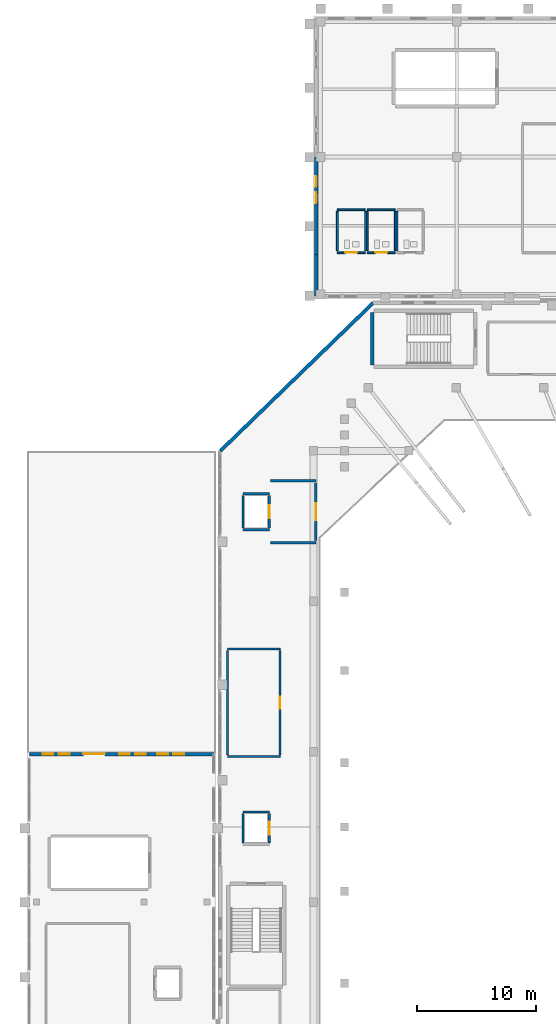
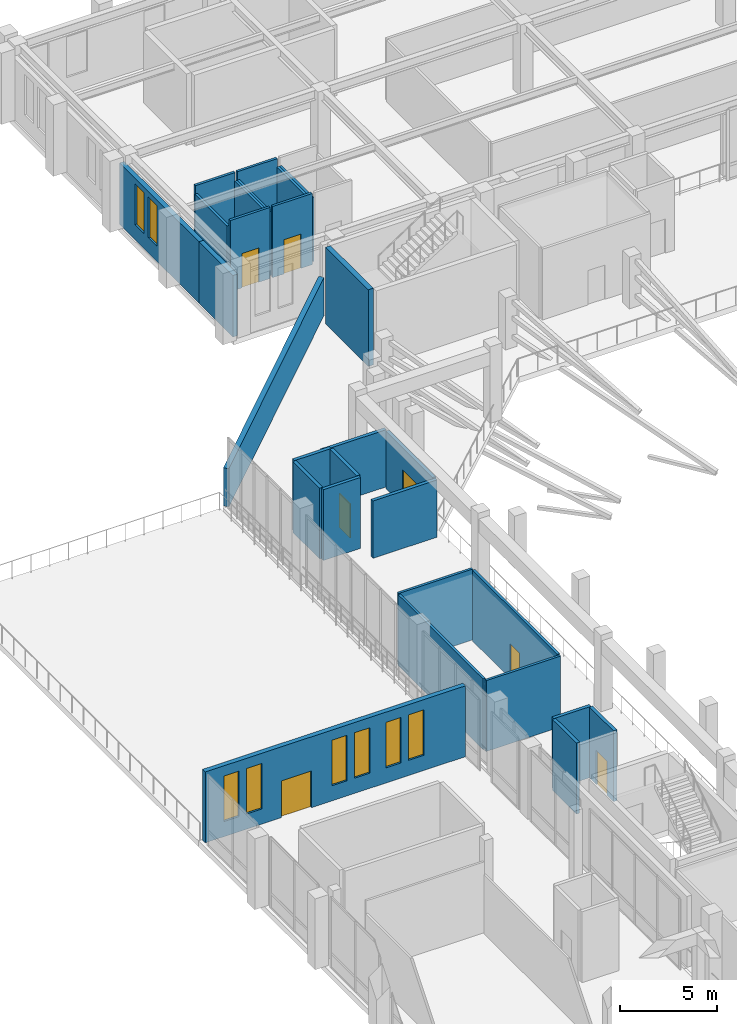
# One storey, part 59 of 79: 28 walls, 8 windows, 7 doors, 15 openings.
"""IFC4 building model written with IfcOpenShell, lengths in metres."""

from ifc_helpers import new_model, si_unit, derived_unit, direction, frame, frame_2d, origin, place, context, subcontext, project, spatial, rectangle, extrude, material, layer, layer_set, type_object, element, fill, save


model = new_model("IFC4")

# Units and contexts
model_context = context("Model", 3, precision=1e-05, world=origin(), true_north=direction((0.0, 1.0)))
body_context = subcontext(model_context, "Body", "Model", "MODEL_VIEW")
ifc_project = project(units=[si_unit("LENGTHUNIT", "METRE"), si_unit("AREAUNIT", "SQUARE_METRE"), si_unit("VOLUMEUNIT", "CUBIC_METRE"), si_unit("PLANEANGLEUNIT", "RADIAN"), si_unit("MASSUNIT", "GRAM", prefix="KILO"), derived_unit("THERMALTRANSMITTANCEUNIT", [(si_unit("MASSUNIT", "GRAM", prefix="KILO"), 1), (si_unit("TIMEUNIT", "SECOND"), -3), (si_unit("THERMODYNAMICTEMPERATUREUNIT", "KELVIN"), -1)])], contexts=[model_context])

# Site, building, storey
site_placement = place(None, origin())
site = spatial("IfcSite", under=ifc_project, at=site_placement, CompositionType="ELEMENT")
building_placement = place(site_placement, origin())
building = spatial("IfcBuilding", under=site, at=building_placement, Name="Valcora Ridge Arena", CompositionType="ELEMENT")
storey_placement = place(building_placement, frame((0.0, 0.0, 16.199951171875)))
storey = spatial("IfcBuildingStorey", under=building, at=storey_placement, Name="L03", CompositionType="ELEMENT", Elevation=16.199951171875)

# Wall
ifc_material_1 = material(Name="Bush-hammered Andean travertine on concrete backup C40/50", Category="masonry")
ifc_layer_1 = layer(ifc_material_1, 0.280029296875, Name="Bush-hammered Andean travertine on concrete backup C40/50")
ifc_layer_set_1 = layer_set([ifc_layer_1], Name="Bush-hammered Andean travertine on concrete backup C40/50")
wall_type_1 = type_object("IfcWallType", Name="TY-WALL-EW-TRV-28-38", PredefinedType="STANDARD", material=ifc_layer_set_1)
wall_1_placement = place(storey_placement, frame((24.219970703125, 108.550048828125, 0.0), z_axis=(0.0, 0.0, 1.0), x_axis=(0.0, 1.0, 0.0)))
element("IfcWall", 1, at=wall_1_placement, inside=storey, type_object=wall_type_1, Name="EW-TRV-28-38 WAL-EW-0213", PredefinedType="STANDARD", context=body_context, shape_type="SweptSolid", body=[
    extrude(rectangle(XDim=3.5, YDim=0.280029296875, at=frame_2d((1.75, 0.0))), origin(), (0.0, 0.0, 1.0), 3.84814453125),
])

# Wall, openings, windows
wall_2_placement = place(storey_placement, frame((24.219970703125, 112.050048828125, 0.0), z_axis=(0.0, 0.0, 1.0), x_axis=(0.0, 1.0, 0.0)))
wall_2 = element("IfcWall", 2, at=wall_2_placement, inside=storey, type_object=wall_type_1, Name="EW-TRV-28-38 WAL-EW-0214", PredefinedType="STANDARD", context=body_context, shape_type="SweptSolid", body=[
    extrude(rectangle(XDim=8.14990234375, YDim=0.280029296875, at=frame_2d((4.074951171875, 0.0))), origin(), (0.0, 0.0, 1.0), 3.84814453125),
])
opening_1_placement = place(wall_2_placement, frame((4.300048828125, 0.0, 0.949951171875)))
opening_1 = element("IfcOpeningElement", 3, at=opening_1_placement, cuts=wall_2, Name="Opening W-GLAN-90X255", PredefinedType="OPENING", context=body_context, shape_type="SweptSolid", body=[
    extrude(rectangle(XDim=0.89990234375, YDim=2.550048828125, at=frame_2d((0.449951171875, 1.27490234375))), frame((0.0, 0.14990234375, 0.0), z_axis=(0.0, -1.0, 0.0), x_axis=(1.0, 0.0, 0.0)), (0.0, 0.0, 1.0), 0.300048828125),
])
opening_2_placement = place(wall_2_placement, frame((5.64990234375, 0.0, 0.949951171875)))
opening_2 = element("IfcOpeningElement", 4, at=opening_2_placement, cuts=wall_2, Name="Opening W-GLAN-90X255", PredefinedType="OPENING", context=body_context, shape_type="SweptSolid", body=[
    extrude(rectangle(XDim=0.89990234375, YDim=2.550048828125, at=frame_2d((0.449951171875, 1.27490234375))), frame((0.0, 0.14990234375, 0.0), z_axis=(0.0, -1.0, 0.0), x_axis=(1.0, 0.0, 0.0)), (0.0, 0.0, 1.0), 0.300048828125),
])
ifc_material_2 = material(Name="Low-iron solar-control double glazing SHGC 0.28", Category="glass")
window_type_1 = type_object("IfcWindowType", Name="TY-WINDOW-W-GLAN-90X255", PartitioningType="DOUBLE_PANEL_VERTICAL", PredefinedType="WINDOW", material=ifc_material_2)
window_1_placement = place(opening_1_placement, origin())
window_1 = element("IfcWindow", 5, at=window_1_placement, inside=storey, type_object=window_type_1, Name="W-GLAN-90X255 WIN-EX-0643", OverallHeight=2.550048828125, OverallWidth=0.89990234375, PartitioningType="DOUBLE_PANEL_VERTICAL", PredefinedType="WINDOW", context=body_context, shape_type="SweptSolid", body=[
    extrude(rectangle(XDim=0.89990234375, YDim=2.550048828125, at=frame_2d((0.449951171875, 1.27490234375))), frame((0.0, 0.030029296875, 0.0), z_axis=(0.0, -1.0, 0.0), x_axis=(1.0, 0.0, 0.0)), (0.0, 0.0, 1.0), 0.06005859375),
])
fill(opening_1, window_1)
window_2_placement = place(opening_2_placement, origin())
window_2 = element("IfcWindow", 6, at=window_2_placement, inside=storey, type_object=window_type_1, Name="W-GLAN-90X255 WIN-EX-0644", OverallHeight=2.550048828125, OverallWidth=0.89990234375, PartitioningType="DOUBLE_PANEL_VERTICAL", PredefinedType="WINDOW", context=body_context, shape_type="SweptSolid", body=[
    extrude(rectangle(XDim=0.89990234375, YDim=2.550048828125, at=frame_2d((0.449951171875, 1.27490234375))), frame((0.0, 0.030029296875, 0.0), z_axis=(0.0, -1.0, 0.0), x_axis=(1.0, 0.0, 0.0)), (0.0, 0.0, 1.0), 0.06005859375),
])
fill(opening_2, window_2)

# Wall, openings, door, windows
ifc_layer_2 = layer(ifc_material_1, 0.280029296875, Name="Bush-hammered Andean travertine on concrete backup C40/50")
ifc_layer_set_2 = layer_set([ifc_layer_2], Name="Bush-hammered Andean travertine on concrete backup C40/50")
wall_type_2 = type_object("IfcWallType", Name="TY-WALL-EW-TRV-28-44", PredefinedType="STANDARD", material=ifc_layer_set_2)
wall_3_placement = place(storey_placement, frame((0.219970703125, 70.199951171875, 0.0), z_axis=(0.0, 0.0, 1.0), x_axis=(1.0, 0.0, 0.0)))
wall_3 = element("IfcWall", 7, at=wall_3_placement, inside=storey, type_object=wall_type_2, Name="EW-TRV-28-44 WAL-EW-0095", PredefinedType="STANDARD", context=body_context, shape_type="SweptSolid", body=[
    extrude(rectangle(XDim=15.429931640625, YDim=0.280029296875, at=frame_2d((7.71484375, 0.0))), origin(), (0.0, 0.0, 1.0), 4.43994140625),
])
opening_3_placement = place(wall_3_placement, frame((4.5, 0.0, 0.0)))
opening_3 = element("IfcOpeningElement", 8, at=opening_3_placement, cuts=wall_3, Name="Opening D-TERR-1800", PredefinedType="OPENING", context=body_context, shape_type="SweptSolid", body=[
    extrude(rectangle(XDim=1.800048828125, YDim=2.300048828125, at=frame_2d((0.89990234375, 1.14990234375))), frame((0.0, 0.14990234375, 0.0), z_axis=(0.0, -1.0, 0.0), x_axis=(1.0, 0.0, 0.0)), (0.0, 0.0, 1.0), 0.300048828125),
])
opening_4_placement = place(wall_3_placement, frame((1.10009765625, 0.0, 0.949951171875)))
opening_4 = element("IfcOpeningElement", 9, at=opening_4_placement, cuts=wall_3, Name="Opening W-GLAN-90X285", PredefinedType="OPENING", context=body_context, shape_type="SweptSolid", body=[
    extrude(rectangle(XDim=0.89990234375, YDim=2.85009765625, at=frame_2d((0.449951171875, 1.425048828125))), frame((0.0, 0.14990234375, 0.0), z_axis=(0.0, -1.0, 0.0), x_axis=(1.0, 0.0, 0.0)), (0.0, 0.0, 1.0), 0.300048828125),
])
opening_5_placement = place(wall_3_placement, frame((2.449951171875, 0.0, 0.949951171875)))
opening_5 = element("IfcOpeningElement", 10, at=opening_5_placement, cuts=wall_3, Name="Opening W-GLAN-90X285", PredefinedType="OPENING", context=body_context, shape_type="SweptSolid", body=[
    extrude(rectangle(XDim=0.89990234375, YDim=2.85009765625, at=frame_2d((0.449951171875, 1.425048828125))), frame((0.0, 0.14990234375, 0.0), z_axis=(0.0, -1.0, 0.0), x_axis=(1.0, 0.0, 0.0)), (0.0, 0.0, 1.0), 0.300048828125),
])
opening_6_placement = place(wall_3_placement, frame((7.5, 0.0, 0.949951171875)))
opening_6 = element("IfcOpeningElement", 11, at=opening_6_placement, cuts=wall_3, Name="Opening W-GLAN-90X285", PredefinedType="OPENING", context=body_context, shape_type="SweptSolid", body=[
    extrude(rectangle(XDim=0.89990234375, YDim=2.85009765625, at=frame_2d((0.449951171875, 1.425048828125))), frame((0.0, 0.14990234375, 0.0), z_axis=(0.0, -1.0, 0.0), x_axis=(1.0, 0.0, 0.0)), (0.0, 0.0, 1.0), 0.300048828125),
])
opening_7_placement = place(wall_3_placement, frame((8.85009765625, 0.0, 0.949951171875)))
opening_7 = element("IfcOpeningElement", 12, at=opening_7_placement, cuts=wall_3, Name="Opening W-GLAN-90X285", PredefinedType="OPENING", context=body_context, shape_type="SweptSolid", body=[
    extrude(rectangle(XDim=0.89990234375, YDim=2.85009765625, at=frame_2d((0.449951171875, 1.425048828125))), frame((0.0, 0.14990234375, 0.0), z_axis=(0.0, -1.0, 0.0), x_axis=(1.0, 0.0, 0.0)), (0.0, 0.0, 1.0), 0.300048828125),
])
opening_8_placement = place(wall_3_placement, frame((10.699951171875, 0.0, 0.949951171875)))
opening_8 = element("IfcOpeningElement", 13, at=opening_8_placement, cuts=wall_3, Name="Opening W-GLAN-90X285", PredefinedType="OPENING", context=body_context, shape_type="SweptSolid", body=[
    extrude(rectangle(XDim=0.89990234375, YDim=2.85009765625, at=frame_2d((0.449951171875, 1.425048828125))), frame((0.0, 0.14990234375, 0.0), z_axis=(0.0, -1.0, 0.0), x_axis=(1.0, 0.0, 0.0)), (0.0, 0.0, 1.0), 0.300048828125),
])
opening_9_placement = place(wall_3_placement, frame((12.050048828125, 0.0, 0.949951171875)))
opening_9 = element("IfcOpeningElement", 14, at=opening_9_placement, cuts=wall_3, Name="Opening W-GLAN-90X285", PredefinedType="OPENING", context=body_context, shape_type="SweptSolid", body=[
    extrude(rectangle(XDim=0.89990234375, YDim=2.85009765625, at=frame_2d((0.449951171875, 1.425048828125))), frame((0.0, 0.14990234375, 0.0), z_axis=(0.0, -1.0, 0.0), x_axis=(1.0, 0.0, 0.0)), (0.0, 0.0, 1.0), 0.300048828125),
])
ifc_material_3 = material(Name="Thermally broken bronze aluminium glazed entrance leaf", Category="aluminium")
door_type_1 = type_object("IfcDoorType", Name="TY-DOOR-D-TERR-1800", OperationType="NOTDEFINED", PredefinedType="DOOR", material=ifc_material_3)
door_1_placement = place(opening_3_placement, origin())
door_1 = element("IfcDoor", 15, at=door_1_placement, inside=storey, type_object=door_type_1, Name="D-TERR-1800 DOR-EX-0020", OperationType="DOUBLE_DOOR_SINGLE_SWING", OverallHeight=2.300048828125, OverallWidth=1.800048828125, PredefinedType="DOOR", context=body_context, shape_type="SweptSolid", body=[
    extrude(rectangle(XDim=1.800048828125, YDim=2.300048828125, at=frame_2d((0.89990234375, 1.14990234375))), frame((0.0, 0.02490234375, 0.0), z_axis=(0.0, -1.0, 0.0), x_axis=(1.0, 0.0, 0.0)), (0.0, 0.0, 1.0), 0.050048828125),
])
fill(opening_3, door_1)
window_type_2 = type_object("IfcWindowType", Name="TY-WINDOW-W-GLAN-90X285", PartitioningType="DOUBLE_PANEL_VERTICAL", PredefinedType="WINDOW", material=ifc_material_2)
window_3_placement = place(opening_4_placement, origin())
window_3 = element("IfcWindow", 16, at=window_3_placement, inside=storey, type_object=window_type_2, Name="W-GLAN-90X285 WIN-EX-0301", OverallHeight=2.85009765625, OverallWidth=0.89990234375, PartitioningType="DOUBLE_PANEL_VERTICAL", PredefinedType="WINDOW", context=body_context, shape_type="SweptSolid", body=[
    extrude(rectangle(XDim=0.89990234375, YDim=2.85009765625, at=frame_2d((0.449951171875, 1.425048828125))), frame((0.0, 0.030029296875, 0.0), z_axis=(0.0, -1.0, 0.0), x_axis=(1.0, 0.0, 0.0)), (0.0, 0.0, 1.0), 0.06005859375),
])
fill(opening_4, window_3)
window_4_placement = place(opening_5_placement, origin())
window_4 = element("IfcWindow", 17, at=window_4_placement, inside=storey, type_object=window_type_2, Name="W-GLAN-90X285 WIN-EX-0302", OverallHeight=2.85009765625, OverallWidth=0.89990234375, PartitioningType="DOUBLE_PANEL_VERTICAL", PredefinedType="WINDOW", context=body_context, shape_type="SweptSolid", body=[
    extrude(rectangle(XDim=0.89990234375, YDim=2.85009765625, at=frame_2d((0.449951171875, 1.425048828125))), frame((0.0, 0.030029296875, 0.0), z_axis=(0.0, -1.0, 0.0), x_axis=(1.0, 0.0, 0.0)), (0.0, 0.0, 1.0), 0.06005859375),
])
fill(opening_5, window_4)
window_5_placement = place(opening_6_placement, origin())
window_5 = element("IfcWindow", 18, at=window_5_placement, inside=storey, type_object=window_type_2, Name="W-GLAN-90X285 WIN-EX-0303", OverallHeight=2.85009765625, OverallWidth=0.89990234375, PartitioningType="DOUBLE_PANEL_VERTICAL", PredefinedType="WINDOW", context=body_context, shape_type="SweptSolid", body=[
    extrude(rectangle(XDim=0.89990234375, YDim=2.85009765625, at=frame_2d((0.449951171875, 1.425048828125))), frame((0.0, 0.030029296875, 0.0), z_axis=(0.0, -1.0, 0.0), x_axis=(1.0, 0.0, 0.0)), (0.0, 0.0, 1.0), 0.06005859375),
])
fill(opening_6, window_5)
window_6_placement = place(opening_7_placement, origin())
window_6 = element("IfcWindow", 19, at=window_6_placement, inside=storey, type_object=window_type_2, Name="W-GLAN-90X285 WIN-EX-0304", OverallHeight=2.85009765625, OverallWidth=0.89990234375, PartitioningType="DOUBLE_PANEL_VERTICAL", PredefinedType="WINDOW", context=body_context, shape_type="SweptSolid", body=[
    extrude(rectangle(XDim=0.89990234375, YDim=2.85009765625, at=frame_2d((0.449951171875, 1.425048828125))), frame((0.0, 0.030029296875, 0.0), z_axis=(0.0, -1.0, 0.0), x_axis=(1.0, 0.0, 0.0)), (0.0, 0.0, 1.0), 0.06005859375),
])
fill(opening_7, window_6)
window_7_placement = place(opening_8_placement, origin())
window_7 = element("IfcWindow", 20, at=window_7_placement, inside=storey, type_object=window_type_2, Name="W-GLAN-90X285 WIN-EX-0305", OverallHeight=2.85009765625, OverallWidth=0.89990234375, PartitioningType="DOUBLE_PANEL_VERTICAL", PredefinedType="WINDOW", context=body_context, shape_type="SweptSolid", body=[
    extrude(rectangle(XDim=0.89990234375, YDim=2.85009765625, at=frame_2d((0.449951171875, 1.425048828125))), frame((0.0, 0.030029296875, 0.0), z_axis=(0.0, -1.0, 0.0), x_axis=(1.0, 0.0, 0.0)), (0.0, 0.0, 1.0), 0.06005859375),
])
fill(opening_8, window_7)
window_8_placement = place(opening_9_placement, origin())
window_8 = element("IfcWindow", 21, at=window_8_placement, inside=storey, type_object=window_type_2, Name="W-GLAN-90X285 WIN-EX-0306", OverallHeight=2.85009765625, OverallWidth=0.89990234375, PartitioningType="DOUBLE_PANEL_VERTICAL", PredefinedType="WINDOW", context=body_context, shape_type="SweptSolid", body=[
    extrude(rectangle(XDim=0.89990234375, YDim=2.85009765625, at=frame_2d((0.449951171875, 1.425048828125))), frame((0.0, 0.030029296875, 0.0), z_axis=(0.0, -1.0, 0.0), x_axis=(1.0, 0.0, 0.0)), (0.0, 0.0, 1.0), 0.06005859375),
])
fill(opening_9, window_8)

# Wall
ifc_layer_3 = layer(ifc_material_1, 0.300048828125, Name="Bush-hammered Andean travertine on concrete backup C40/50")
ifc_layer_set_3 = layer_set([ifc_layer_3], Name="Bush-hammered Andean travertine on concrete backup C40/50")
wall_type_3 = type_object("IfcWallType", Name="TY-WALL-EW-TRV-30-24", PredefinedType="STANDARD", material=ifc_layer_set_3)
wall_4_placement = place(storey_placement, frame((29.0, 108.0, 0.0), z_axis=(0.0, 0.0, 1.0), x_axis=(-0.718244287729, -0.695791019736, 0.0)))
element("IfcWall", 22, at=wall_4_placement, inside=storey, type_object=wall_type_3, Name="EW-TRV-30-24 WAL-EW-0056", PredefinedType="STANDARD", context=body_context, shape_type="SweptSolid", body=[
    extrude(rectangle(XDim=17.8212890625, YDim=0.300048828125, at=frame_2d((8.91064453125, 0.0))), origin(), (0.0, 0.0, 1.0), 2.39013671875),
])

# Wall, opening, door
ifc_material_4 = material(Name="Fire-rated masonry-core compartment wall C35/45 150 mm", Category="masonry")
ifc_layer_4 = layer(ifc_material_4, 0.14990234375, Name="Fire-rated masonry-core compartment wall C35/45 150 mm")
ifc_layer_set_4 = layer_set([ifc_layer_4], Name="Fire-rated masonry-core compartment wall C35/45 150 mm")
wall_type_4 = type_object("IfcWallType", Name="TY-WALL-IW-COMP-150", PredefinedType="STANDARD", material=ifc_layer_set_4)
wall_5_placement = place(storey_placement, frame((26.0, 112.199951171875, 0.0), z_axis=(0.0, 0.0, 1.0), x_axis=(1.0, 0.0, 0.0)))
wall_5 = element("IfcWall", 23, at=wall_5_placement, inside=storey, type_object=wall_type_4, Name="IW-COMP-150 WAL-IN-0143", PredefinedType="STANDARD", context=body_context, shape_type="SweptSolid", body=[
    extrude(rectangle(XDim=2.35009765625, YDim=0.14990234375, at=frame_2d((1.175048828125, 0.0))), origin(), (0.0, 0.0, 1.0), 4.4599609375),
])
opening_10_placement = place(wall_5_placement, frame((0.675048828125, 0.0, 0.0)))
opening_10 = element("IfcOpeningElement", 24, at=opening_10_placement, cuts=wall_5, Name="Opening D-WC-1000", PredefinedType="OPENING", context=body_context, shape_type="SweptSolid", body=[
    extrude(rectangle(XDim=1.0, YDim=2.14990234375, at=frame_2d((0.5, 1.074951171875))), frame((0.0, 0.0849609375, 0.0), z_axis=(0.0, -1.0, 0.0), x_axis=(1.0, 0.0, 0.0)), (0.0, 0.0, 1.0), 0.169921875),
])
ifc_material_5 = material(Name="Insulated fire-rated steel door leaf", Category="steel")
door_type_2 = type_object("IfcDoorType", Name="TY-DOOR-D-WC-1000", OperationType="NOTDEFINED", PredefinedType="DOOR", material=ifc_material_5)
door_2_placement = place(opening_10_placement, origin())
door_2 = element("IfcDoor", 25, at=door_2_placement, inside=storey, type_object=door_type_2, Name="D-WC-1000 DOR-IN-0040", OperationType="SINGLE_SWING_RIGHT", OverallHeight=2.14990234375, OverallWidth=1.0, PredefinedType="DOOR", context=body_context, shape_type="SweptSolid", body=[
    extrude(rectangle(XDim=1.0, YDim=2.14990234375, at=frame_2d((0.5, 1.074951171875))), frame((0.0, 0.02490234375, 0.0), z_axis=(0.0, -1.0, 0.0), x_axis=(1.0, 0.0, 0.0)), (0.0, 0.0, 1.0), 0.050048828125),
])
fill(opening_10, door_2)

# Walls
wall_6_placement = place(storey_placement, frame((26.0, 115.800048828125, 0.0), z_axis=(0.0, 0.0, 1.0), x_axis=(1.0, 0.0, 0.0)))
element("IfcWall", 26, at=wall_6_placement, inside=storey, type_object=wall_type_4, Name="IW-COMP-150 WAL-IN-0144", PredefinedType="STANDARD", context=body_context, shape_type="SweptSolid", body=[
    extrude(rectangle(XDim=2.35009765625, YDim=0.14990234375, at=frame_2d((1.175048828125, 0.0))), origin(), (0.0, 0.0, 1.0), 4.4599609375),
])
for number, where, z_axis, x_axis, name in (
    (27, (26.0, 112.35009765625, 0.0), (0.0, 0.0, 1.0), (0.0, 1.0, 0.0), "IW-COMP-150 WAL-IN-0145"),
    (28, (28.35009765625, 112.35009765625, 0.0), (0.0, 0.0, 1.0), (0.0, 1.0, 0.0), "IW-COMP-150 WAL-IN-0146"),
):
    element("IfcWall", number, at=place(storey_placement, frame(where, z_axis=z_axis, x_axis=x_axis)), inside=storey, type_object=wall_type_4, Name=name, PredefinedType="STANDARD", context=body_context, shape_type="SweptSolid", body=[
        extrude(rectangle(XDim=3.2998046875, YDim=0.14990234375, at=frame_2d((1.64990234375, 0.0))), origin(), (0.0, 0.0, 1.0), 4.0029296875),
    ])

# Wall, opening, door
wall_7_placement = place(storey_placement, frame((28.5, 112.199951171875, 0.0), z_axis=(0.0, 0.0, 1.0), x_axis=(1.0, 0.0, 0.0)))
wall_7 = element("IfcWall", 29, at=wall_7_placement, inside=storey, type_object=wall_type_4, Name="IW-COMP-150 WAL-IN-0147", PredefinedType="STANDARD", context=body_context, shape_type="SweptSolid", body=[
    extrude(rectangle(XDim=2.35009765625, YDim=0.14990234375, at=frame_2d((1.175048828125, 0.0))), origin(), (0.0, 0.0, 1.0), 4.4599609375),
])
opening_11_placement = place(wall_7_placement, frame((0.675048828125, 0.0, 0.0)))
opening_11 = element("IfcOpeningElement", 30, at=opening_11_placement, cuts=wall_7, Name="Opening D-WC-1000", PredefinedType="OPENING", context=body_context, shape_type="SweptSolid", body=[
    extrude(rectangle(XDim=1.0, YDim=2.14990234375, at=frame_2d((0.5, 1.074951171875))), frame((0.0, 0.0849609375, 0.0), z_axis=(0.0, -1.0, 0.0), x_axis=(1.0, 0.0, 0.0)), (0.0, 0.0, 1.0), 0.169921875),
])
door_3_placement = place(opening_11_placement, origin())
door_3 = element("IfcDoor", 31, at=door_3_placement, inside=storey, type_object=door_type_2, Name="D-WC-1000 DOR-IN-0041", OperationType="SINGLE_SWING_LEFT", OverallHeight=2.14990234375, OverallWidth=1.0, PredefinedType="DOOR", context=body_context, shape_type="SweptSolid", body=[
    extrude(rectangle(XDim=1.0, YDim=2.14990234375, at=frame_2d((0.5, 1.074951171875))), frame((0.0, 0.02490234375, 0.0), z_axis=(0.0, -1.0, 0.0), x_axis=(1.0, 0.0, 0.0)), (0.0, 0.0, 1.0), 0.050048828125),
])
fill(opening_11, door_3)

# Walls
wall_8_placement = place(storey_placement, frame((28.5, 115.800048828125, 0.0), z_axis=(0.0, 0.0, 1.0), x_axis=(1.0, 0.0, 0.0)))
element("IfcWall", 32, at=wall_8_placement, inside=storey, type_object=wall_type_4, Name="IW-COMP-150 WAL-IN-0148", PredefinedType="STANDARD", context=body_context, shape_type="SweptSolid", body=[
    extrude(rectangle(XDim=2.35009765625, YDim=0.14990234375, at=frame_2d((1.175048828125, 0.0))), origin(), (0.0, 0.0, 1.0), 4.4599609375),
])
for number, where, z_axis, x_axis, name in (
    (33, (28.5, 112.35009765625, 0.0), (0.0, 0.0, 1.0), (0.0, 1.0, 0.0), "IW-COMP-150 WAL-IN-0149"),
    (34, (30.85009765625, 112.35009765625, 0.0), (0.0, 0.0, 1.0), (0.0, 1.0, 0.0), "IW-COMP-150 WAL-IN-0150"),
    (35, (31.0, 112.35009765625, 0.0), (0.0, 0.0, 1.0), (0.0, 1.0, 0.0), "IW-COMP-150 WAL-IN-0153"),
):
    element("IfcWall", number, at=place(storey_placement, frame(where, z_axis=z_axis, x_axis=x_axis)), inside=storey, type_object=wall_type_4, Name=name, PredefinedType="STANDARD", context=body_context, shape_type="SweptSolid", body=[
        extrude(rectangle(XDim=3.2998046875, YDim=0.14990234375, at=frame_2d((1.64990234375, 0.0))), origin(), (0.0, 0.0, 1.0), 4.0029296875),
    ])
for number, where, z_axis, x_axis, name in (
    (36, (16.800048828125, 70.0, 0.0), (0.0, 0.0, 1.0), (1.0, 0.0, 0.0), "IW-COMP-150 WAL-IN-0423"),
    (37, (16.800048828125, 79.0, 0.0), (0.0, 0.0, 1.0), (1.0, 0.0, 0.0), "IW-COMP-150 WAL-IN-0424"),
):
    element("IfcWall", number, at=place(storey_placement, frame(where, z_axis=z_axis, x_axis=x_axis)), inside=storey, type_object=wall_type_4, Name=name, PredefinedType="STANDARD", context=body_context, shape_type="SweptSolid", body=[
        extrude(rectangle(XDim=4.39990234375, YDim=0.14990234375, at=frame_2d((2.199951171875, 0.0))), origin(), (0.0, 0.0, 1.0), 4.43994140625),
    ])
wall_9_placement = place(storey_placement, frame((16.800048828125, 70.14990234375, 0.0), z_axis=(0.0, 0.0, 1.0), x_axis=(0.0, 1.0, 0.0)))
element("IfcWall", 38, at=wall_9_placement, inside=storey, type_object=wall_type_4, Name="IW-COMP-150 WAL-IN-0425", PredefinedType="STANDARD", context=body_context, shape_type="SweptSolid", body=[
    extrude(rectangle(XDim=8.7001953125, YDim=0.14990234375, at=frame_2d((4.35009765625, 0.0))), origin(), (0.0, 0.0, 1.0), 4.43994140625),
])

# Wall, opening, door
wall_10_placement = place(storey_placement, frame((21.199951171875, 70.14990234375, 0.0), z_axis=(0.0, 0.0, 1.0), x_axis=(0.0, 1.0, 0.0)))
wall_10 = element("IfcWall", 39, at=wall_10_placement, inside=storey, type_object=wall_type_4, Name="IW-COMP-150 WAL-IN-0426", PredefinedType="STANDARD", context=body_context, shape_type="SweptSolid", body=[
    extrude(rectangle(XDim=8.7001953125, YDim=0.14990234375, at=frame_2d((4.35009765625, 0.0))), origin(), (0.0, 0.0, 1.0), 4.43994140625),
])
opening_12_placement = place(wall_10_placement, frame((3.85009765625, 0.0, 0.0)))
opening_12 = element("IfcOpeningElement", 40, at=opening_12_placement, cuts=wall_10, Name="Opening FD-STE-1000", PredefinedType="OPENING", context=body_context, shape_type="SweptSolid", body=[
    extrude(rectangle(XDim=1.0, YDim=2.14990234375, at=frame_2d((0.5, 1.074951171875))), frame((0.0, 0.0849609375, 0.0), z_axis=(0.0, -1.0, 0.0), x_axis=(1.0, 0.0, 0.0)), (0.0, 0.0, 1.0), 0.169921875),
])
door_type_3 = type_object("IfcDoorType", Name="TY-DOOR-FD-STE-1000", OperationType="NOTDEFINED", PredefinedType="DOOR", material=ifc_material_5)
door_4_placement = place(opening_12_placement, origin())
door_4 = element("IfcDoor", 41, at=door_4_placement, inside=storey, type_object=door_type_3, Name="FD-STE-1000 DOR-IN-0111", OperationType="SINGLE_SWING_LEFT", OverallHeight=2.14990234375, OverallWidth=1.0, PredefinedType="DOOR", context=body_context, shape_type="SweptSolid", body=[
    extrude(rectangle(XDim=1.0, YDim=2.14990234375, at=frame_2d((0.5, 1.074951171875))), frame((0.0, 0.02490234375, 0.0), z_axis=(0.0, -1.0, 0.0), x_axis=(1.0, 0.0, 0.0)), (0.0, 0.0, 1.0), 0.050048828125),
])
fill(opening_12, door_4)

# Walls
ifc_material_6 = material(Name="Fire-resisting reinforced concrete enclosure C40/50 200 mm", Category="concrete")
ifc_layer_5 = layer(ifc_material_6, 0.199951171875, Name="Fire-resisting reinforced concrete enclosure C40/50 200 mm")
ifc_layer_set_5 = layer_set([ifc_layer_5], Name="Fire-resisting reinforced concrete enclosure C40/50 200 mm")
wall_type_5 = type_object("IfcWallType", Name="TY-WALL-IW-FIRE-200", PredefinedType="STANDARD", material=ifc_layer_set_5)
for number, where, z_axis, x_axis, name in (
    (42, (20.39990234375, 87.89990234375, 0.0), (0.0, 0.0, 1.0), (1.0, 0.0, 0.0), "IW-FIRE-200 WAL-IN-0034"),
    (43, (20.39990234375, 93.10009765625, 0.0), (0.0, 0.0, 1.0), (1.0, 0.0, 0.0), "IW-FIRE-200 WAL-IN-0035"),
):
    element("IfcWall", number, at=place(storey_placement, frame(where, z_axis=z_axis, x_axis=x_axis)), inside=storey, type_object=wall_type_5, Name=name, PredefinedType="STANDARD", context=body_context, shape_type="SweptSolid", body=[
        extrude(rectangle(XDim=3.800048828125, YDim=0.199951171875, at=frame_2d((1.89990234375, 0.0))), origin(), (0.0, 0.0, 1.0), 3.590087890625),
    ])

# Wall, opening, door
wall_11_placement = place(storey_placement, frame((24.199951171875, 88.10009765625, 0.0), z_axis=(0.0, 0.0, 1.0), x_axis=(0.0, 1.0, 0.0)))
wall_11 = element("IfcWall", 44, at=wall_11_placement, inside=storey, type_object=wall_type_5, Name="IW-FIRE-200 WAL-IN-0036", PredefinedType="STANDARD", context=body_context, shape_type="SweptSolid", body=[
    extrude(rectangle(XDim=4.7998046875, YDim=0.199951171875, at=frame_2d((2.39990234375, 0.0))), origin(), (0.0, 0.0, 1.0), 3.590087890625),
])
opening_13_placement = place(wall_11_placement, frame((1.699951171875, 0.0, 0.0)))
opening_13 = element("IfcOpeningElement", 45, at=opening_13_placement, cuts=wall_11, Name="Opening FD-FFL-1400", PredefinedType="OPENING", context=body_context, shape_type="SweptSolid", body=[
    extrude(rectangle(XDim=1.39990234375, YDim=2.199951171875, at=frame_2d((0.699951171875, 1.10009765625))), frame((0.0, 0.10986328125, 0.0), z_axis=(0.0, -1.0, 0.0), x_axis=(1.0, 0.0, 0.0)), (0.0, 0.0, 1.0), 0.219970703125),
])
door_type_4 = type_object("IfcDoorType", Name="TY-DOOR-FD-FFL-1400", OperationType="NOTDEFINED", PredefinedType="DOOR", material=ifc_material_5)
door_5_placement = place(opening_13_placement, origin())
door_5 = element("IfcDoor", 46, at=door_5_placement, inside=storey, type_object=door_type_4, Name="FD-FFL-1400 DOR-IN-0012", OperationType="DOUBLE_DOOR_SINGLE_SWING", OverallHeight=2.199951171875, OverallWidth=1.39990234375, PredefinedType="DOOR", context=body_context, shape_type="SweptSolid", body=[
    extrude(rectangle(XDim=1.39990234375, YDim=2.199951171875, at=frame_2d((0.699951171875, 1.10009765625))), frame((0.0, 0.02490234375, 0.0), z_axis=(0.0, -1.0, 0.0), x_axis=(1.0, 0.0, 0.0)), (0.0, 0.0, 1.0), 0.050048828125),
])
fill(opening_13, door_5)

# Walls
ifc_material_7 = material(Name="Concrete C40/50", Category="concrete")
ifc_layer_6 = layer(ifc_material_7, 0.199951171875, Name="Concrete C40/50")
ifc_layer_set_6 = layer_set([ifc_layer_6], Name="Concrete C40/50")
wall_type_6 = type_object("IfcWallType", Name="TY-WALL-IW-SHF-200", PredefinedType="STANDARD", material=ifc_layer_set_6)
for number, where, z_axis, x_axis, name in (
    (47, (18.10009765625, 89.0, 0.0), (0.0, 0.0, 1.0), (1.0, 0.0, 0.0), "IW-SHF-200 WAL-SH-0045"),
    (48, (18.10009765625, 92.0, 0.0), (0.0, 0.0, 1.0), (1.0, 0.0, 0.0), "IW-SHF-200 WAL-SH-0046"),
):
    element("IfcWall", number, at=place(storey_placement, frame(where, z_axis=z_axis, x_axis=x_axis)), inside=storey, type_object=wall_type_6, Name=name, PredefinedType="STANDARD", context=body_context, shape_type="SweptSolid", body=[
        extrude(rectangle(XDim=2.199951171875, YDim=0.199951171875, at=frame_2d((1.10009765625, 0.0))), origin(), (0.0, 0.0, 1.0), 4.43994140625),
    ])
wall_12_placement = place(storey_placement, frame((18.10009765625, 89.1201171875, 0.0), z_axis=(0.0, 0.0, 1.0), x_axis=(0.0, 1.0, 0.0)))
element("IfcWall", 49, at=wall_12_placement, inside=storey, type_object=wall_type_6, Name="IW-SHF-200 WAL-SH-0047", PredefinedType="STANDARD", context=body_context, shape_type="SweptSolid", body=[
    extrude(rectangle(XDim=2.759765625, YDim=0.199951171875, at=frame_2d((1.3798828125, 0.0))), origin(), (0.0, 0.0, 1.0), 4.43994140625),
])

# Wall, opening, door
wall_13_placement = place(storey_placement, frame((20.300048828125, 89.1201171875, 0.0), z_axis=(0.0, 0.0, 1.0), x_axis=(0.0, 1.0, 0.0)))
wall_13 = element("IfcWall", 50, at=wall_13_placement, inside=storey, type_object=wall_type_6, Name="IW-SHF-200 WAL-SH-0048", PredefinedType="STANDARD", context=body_context, shape_type="SweptSolid", body=[
    extrude(rectangle(XDim=2.759765625, YDim=0.199951171875, at=frame_2d((1.3798828125, 0.0))), origin(), (0.0, 0.0, 1.0), 4.43994140625),
])
opening_14_placement = place(wall_13_placement, frame((0.830078125, 0.0, 0.0)))
opening_14 = element("IfcOpeningElement", 51, at=opening_14_placement, cuts=wall_13, Name="Opening LD-FF", PredefinedType="OPENING", context=body_context, shape_type="SweptSolid", body=[
    extrude(rectangle(XDim=1.10009765625, YDim=2.14990234375, at=frame_2d((0.550048828125, 1.074951171875))), frame((0.0, 0.10986328125, 0.0), z_axis=(0.0, -1.0, 0.0), x_axis=(1.0, 0.0, 0.0)), (0.0, 0.0, 1.0), 0.219970703125),
])
ifc_material_8 = material(Name="Insulated fire-rated hollow metal steel", Category="steel")
door_type_5 = type_object("IfcDoorType", Name="TY-DOOR-LD-FF", OperationType="NOTDEFINED", PredefinedType="DOOR", material=ifc_material_8)
door_6_placement = place(opening_14_placement, origin())
door_6 = element("IfcDoor", 52, at=door_6_placement, inside=storey, type_object=door_type_5, Name="FFL2 Landing Door L03", OperationType="SLIDING_TO_LEFT", OverallHeight=2.14990234375, OverallWidth=1.10009765625, PredefinedType="DOOR", context=body_context, shape_type="SweptSolid", body=[
    extrude(rectangle(XDim=1.10009765625, YDim=2.14990234375, at=frame_2d((0.550048828125, 1.074951171875))), frame((0.0, 0.02490234375, 0.0), z_axis=(0.0, -1.0, 0.0), x_axis=(1.0, 0.0, 0.0)), (0.0, 0.0, 1.0), 0.050048828125),
])
fill(opening_14, door_6)

# Walls
wall_14_placement = place(storey_placement, frame((18.10009765625, 65.35009765625, 0.0), z_axis=(0.0, 0.0, 1.0), x_axis=(1.0, 0.0, 0.0)))
element("IfcWall", 53, at=wall_14_placement, inside=storey, type_object=wall_type_6, Name="IW-SHF-200 WAL-SH-0222", PredefinedType="STANDARD", context=body_context, shape_type="SweptSolid", body=[
    extrude(rectangle(XDim=2.199951171875, YDim=0.199951171875, at=frame_2d((1.10009765625, 0.0))), origin(), (0.0, 0.0, 1.0), 4.43994140625),
])
wall_15_placement = place(storey_placement, frame((18.10009765625, 62.77001953125, 0.0), z_axis=(0.0, 0.0, 1.0), x_axis=(0.0, 1.0, 0.0)))
element("IfcWall", 54, at=wall_15_placement, inside=storey, type_object=wall_type_6, Name="IW-SHF-200 WAL-SH-0223", PredefinedType="STANDARD", context=body_context, shape_type="SweptSolid", body=[
    extrude(rectangle(XDim=2.4599609375, YDim=0.199951171875, at=frame_2d((1.22998046875, 0.0))), origin(), (0.0, 0.0, 1.0), 4.43994140625),
])

# Wall, opening, door
wall_16_placement = place(storey_placement, frame((20.300048828125, 62.77001953125, 0.0), z_axis=(0.0, 0.0, 1.0), x_axis=(0.0, 1.0, 0.0)))
wall_16 = element("IfcWall", 55, at=wall_16_placement, inside=storey, type_object=wall_type_6, Name="IW-SHF-200 WAL-SH-0224", PredefinedType="STANDARD", context=body_context, shape_type="SweptSolid", body=[
    extrude(rectangle(XDim=2.4599609375, YDim=0.199951171875, at=frame_2d((1.22998046875, 0.0))), origin(), (0.0, 0.0, 1.0), 4.43994140625),
])
opening_15_placement = place(wall_16_placement, frame((0.679931640625, 0.0, 0.0)))
opening_15 = element("IfcOpeningElement", 56, at=opening_15_placement, cuts=wall_16, Name="Opening LD-PAX", PredefinedType="OPENING", context=body_context, shape_type="SweptSolid", body=[
    extrude(rectangle(XDim=1.10009765625, YDim=2.14990234375, at=frame_2d((0.550048828125, 1.074951171875))), frame((0.0, 0.10986328125, 0.0), z_axis=(0.0, -1.0, 0.0), x_axis=(1.0, 0.0, 0.0)), (0.0, 0.0, 1.0), 0.219970703125),
])
door_type_6 = type_object("IfcDoorType", Name="TY-DOOR-LD-PAX", OperationType="NOTDEFINED", PredefinedType="DOOR", material=ifc_material_8)
door_7_placement = place(opening_15_placement, origin())
door_7 = element("IfcDoor", 57, at=door_7_placement, inside=storey, type_object=door_type_6, Name="CL3 Landing Door L03", OperationType="SLIDING_TO_LEFT", OverallHeight=2.14990234375, OverallWidth=1.10009765625, PredefinedType="DOOR", context=body_context, shape_type="SweptSolid", body=[
    extrude(rectangle(XDim=1.10009765625, YDim=2.14990234375, at=frame_2d((0.550048828125, 1.074951171875))), frame((0.0, 0.02490234375, 0.0), z_axis=(0.0, -1.0, 0.0), x_axis=(1.0, 0.0, 0.0)), (0.0, 0.0, 1.0), 0.050048828125),
])
fill(opening_15, door_7)

# Wall
ifc_material_9 = material(Name="Concrete C45/55", Category="concrete")
ifc_layer_7 = layer(ifc_material_9, 0.300048828125, Name="Concrete C45/55")
ifc_layer_set_7 = layer_set([ifc_layer_7], Name="Concrete C45/55")
wall_type_7 = type_object("IfcWallType", Name="TY-WALL-SW-C300-S", PredefinedType="SHEAR", material=ifc_layer_set_7)
wall_17_placement = place(storey_placement, frame((28.929931640625, 102.800048828125, 0.0), z_axis=(0.0, 0.0, 1.0), x_axis=(0.0, 1.0, 0.0)))
element("IfcWall", 58, at=wall_17_placement, inside=storey, type_object=wall_type_7, Name="SW-C300-S WAL-CR-0071", PredefinedType="SHEAR", context=body_context, shape_type="SweptSolid", body=[
    extrude(rectangle(XDim=4.39990234375, YDim=0.300048828125, at=frame_2d((2.199951171875, 0.0))), origin(), (0.0, 0.0, 1.0), 4.800048828125),
])

save(model, "model.ifc")
